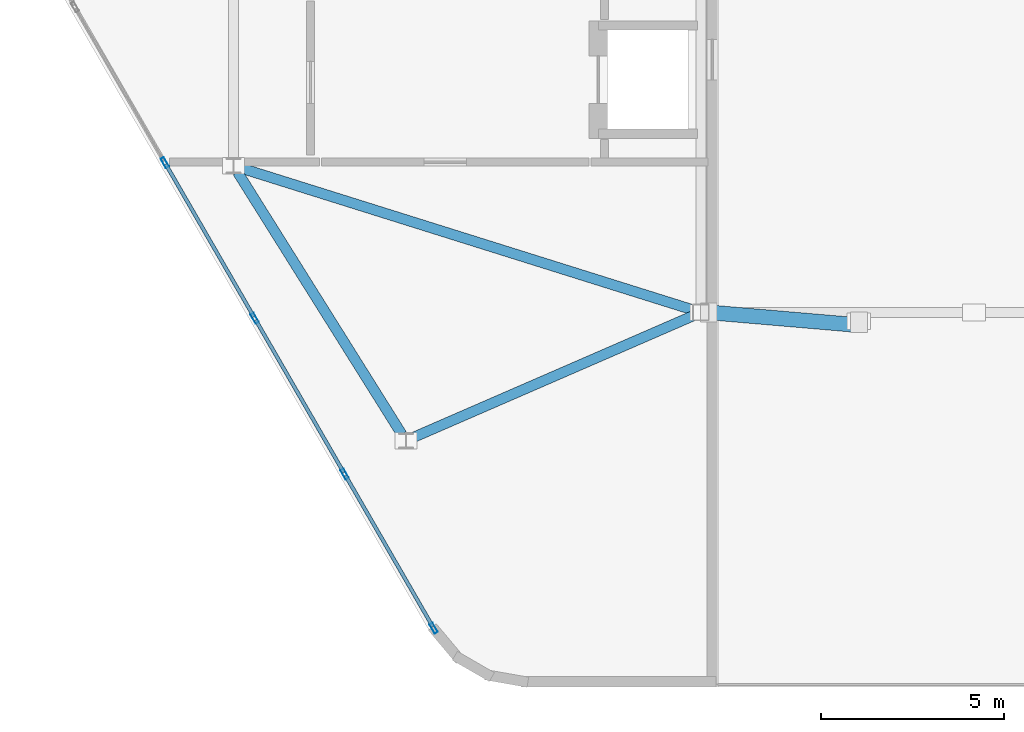
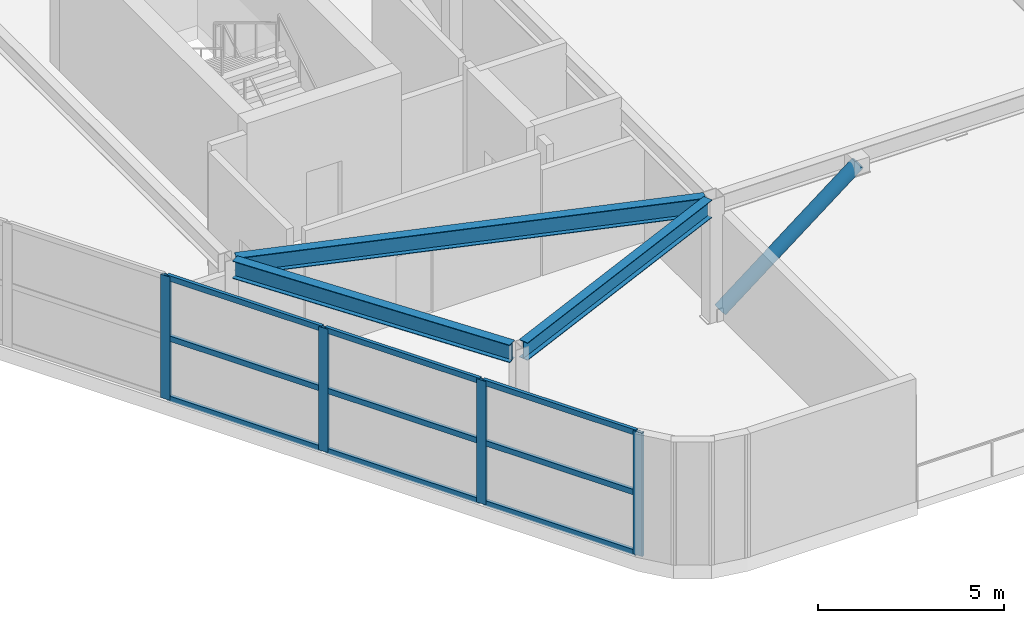
# One storey, part 3 of 17: 14 members, 3 beams, 1 element without a shape of its own.
"""IFC4 building model written with IfcOpenShell, lengths in metres."""

import ifcopenshell
import ifcopenshell.guid

model = None  # the IFC model being written
_history = None  # IfcOwnerHistory: only IFC2X3 demands one
_inside = {}  # id of a spatial element -> (the spatial element, [elements in it])
_under = {}  # id of a project, library or spatial element -> (it, [spatial elements below it])
_declared = {}  # id of a project -> (the project, [libraries it declares])
_typed = {}  # id of a type object -> (the type object, [elements of that type])
_made_of = {}  # id of a material, layer set ... -> (it, [elements and type objects made of it])


def new_model(schema):
    """Start an empty IFC model of exactly this schema.

    Asked for "IFC4X3", IfcOpenShell would pick the latest addendum, in which some entities
    have other attributes; the version numbers below select the first issue.
    IFC2X3 requires an IfcOwnerHistory on every rooted entity: one is made here for all.
    """
    global model, _history
    if schema == "IFC4X3":
        model = ifcopenshell.file(schema_version=(4, 3, 0, 0))
    else:
        model = ifcopenshell.file(schema=schema)
    _inside.clear()
    _under.clear()
    _declared.clear()
    _typed.clear()
    _made_of.clear()
    _history = None
    if model.schema == "IFC2X3":
        org = make("IfcOrganization", Name="unknown")
        user = make(
            "IfcPersonAndOrganization",
            ThePerson=make("IfcPerson", FamilyName="unknown"),
            TheOrganization=org,
        )
        app = make(
            "IfcApplication",
            ApplicationDeveloper=org,
            Version="unknown",
            ApplicationFullName="unknown",
            ApplicationIdentifier="unknown",
        )
        _history = make(
            "IfcOwnerHistory",
            OwningUser=user,
            OwningApplication=app,
            ChangeAction="ADDED",
            CreationDate=0,
        )
    return model


def make(cls, **values):
    """One entity of the class cls with the attributes given. An attribute that is None is left unset."""
    return model.create_entity(
        cls, **{name: value for name, value in values.items() if value is not None}
    )


def rooted(cls, **values):
    """An entity with a GlobalId (a new one), such as an element, a storey or a relation."""
    return make(cls, GlobalId=ifcopenshell.guid.new(), OwnerHistory=_history, **values)


def si_unit(unit_type, name, prefix=None):
    """IfcSIUnit, for example si_unit("LENGTHUNIT", "METRE", prefix="MILLI")."""
    return make("IfcSIUnit", UnitType=unit_type, Prefix=prefix, Name=name)


def assignment(units):
    """IfcUnitAssignment: the units of a project."""
    return None if units is None else make("IfcUnitAssignment", Units=units)


def point(xyz):
    """IfcCartesianPoint."""
    return None if xyz is None else make("IfcCartesianPoint", Coordinates=xyz)


def direction(xyz):
    """IfcDirection."""
    return None if xyz is None else make("IfcDirection", DirectionRatios=xyz)


def frame(location, z_axis=None, x_axis=None):
    """IfcAxis2Placement3D, a coordinate frame: its origin and axes. An axis left out is left unset."""
    return make(
        "IfcAxis2Placement3D",
        Location=point(location),
        Axis=direction(z_axis),
        RefDirection=direction(x_axis),
    )


def frame_2d(location, x_axis=None):
    """IfcAxis2Placement2D, a coordinate frame in the plane: its origin and x axis."""
    return make(
        "IfcAxis2Placement2D", Location=point(location), RefDirection=direction(x_axis)
    )


def origin():
    """The frame at (0, 0, 0) with its axes left unset."""
    return frame((0.0, 0.0, 0.0))


def origin_2d():
    """The frame at (0, 0) in the plane with its x axis left unset."""
    return frame_2d((0.0, 0.0))


def place(relative_to, where):
    """IfcLocalPlacement: puts the frame where relative to a parent placement (None: the world)."""
    return make(
        "IfcLocalPlacement", PlacementRelTo=relative_to, RelativePlacement=where
    )


def context(
    kind, dimensions, precision=None, world=None, true_north=None, identifier=None
):
    """IfcGeometricRepresentationContext, for example the 3D "Model" context."""
    return make(
        "IfcGeometricRepresentationContext",
        ContextIdentifier=identifier,
        ContextType=kind,
        CoordinateSpaceDimension=dimensions,
        Precision=precision,
        WorldCoordinateSystem=world,
        TrueNorth=true_north,
    )


def subcontext(parent, identifier, kind, view, scale=None):
    """IfcGeometricRepresentationSubContext, for example "Body" below "Model"."""
    return make(
        "IfcGeometricRepresentationSubContext",
        ContextIdentifier=identifier,
        ContextType=kind,
        ParentContext=parent,
        TargetScale=scale,
        TargetView=view,
    )


def project(units=None, contexts=None):
    """IfcProject with its units and contexts."""
    return rooted(
        "IfcProject",
        Name="project",
        RepresentationContexts=contexts,
        UnitsInContext=assignment(units),
    )


def spatial(cls, under=None, at=None, **own):
    """A site, building, storey or space (cls), placed at a placement, below another one or the project."""
    s = rooted(cls, ObjectPlacement=at, **own)
    if under is not None:
        _under.setdefault(under.id(), (under, []))[1].append(s)
    return s


def profile(cls, at=None, kind="AREA", **sizes):
    """A parametric profile (cls). Its sizes go by their IFC names, for example OverallWidth=200.0."""
    return make(cls, ProfileType=kind, Position=at, **sizes)


def hollow_rectangle(**sizes):
    """IfcRectangleHollowProfileDef."""
    return profile("IfcRectangleHollowProfileDef", **sizes)


def hollow_circle(**sizes):
    """IfcCircleHollowProfileDef."""
    return profile("IfcCircleHollowProfileDef", **sizes)


def i_section(**sizes):
    """IfcIShapeProfileDef."""
    return profile("IfcIShapeProfileDef", **sizes)


def extrude(swept, where, along, depth):
    """IfcExtrudedAreaSolid: the profile swept, set in the frame where, extruded along a direction by depth."""
    return make(
        "IfcExtrudedAreaSolid",
        SweptArea=swept,
        Position=where,
        ExtrudedDirection=direction(along),
        Depth=depth,
    )


def shape(context_of_items, identifier, shape_type, items):
    """IfcShapeRepresentation: the items that make up one representation, for example the "Body"."""
    return make(
        "IfcShapeRepresentation",
        ContextOfItems=context_of_items,
        RepresentationIdentifier=identifier,
        RepresentationType=shape_type,
        Items=items,
    )


def material(Name=None, Category=None):
    """IfcMaterial."""
    return make("IfcMaterial", Name=Name, Category=Category)


def material_profile(
    of_material, cross_section, Name=None, Category=None, Priority=None
):
    """IfcMaterialProfile: a cross section and its material."""
    return make(
        "IfcMaterialProfile",
        Name=Name,
        Material=of_material,
        Profile=cross_section,
        Priority=Priority,
        Category=Category,
    )


def profile_set(profiles, Name=None, composite=None):
    """IfcMaterialProfileSet."""
    return make(
        "IfcMaterialProfileSet",
        Name=Name,
        MaterialProfiles=profiles,
        CompositeProfile=composite,
    )


def made_of(thing, what):
    """Note that an element or type object is made of a material, layer set ...; save() writes the relation."""
    if what is not None:
        _made_of.setdefault(what.id(), (what, []))[1].append(thing)
    return thing


def type_object(cls, material=None, **own):
    """A type object (cls), such as IfcWallType, which elements share."""
    return made_of(rooted(cls, **own), material)


def element(
    cls,
    number,
    at=None,
    inside=None,
    cuts=None,
    type_object=None,
    material=None,
    context=None,
    identifier="Body",
    shape_type=None,
    held_by="IfcProductDefinitionShape",
    body=None,
    shapes=None,
    **own,
):
    """One element of the class cls, such as IfcWall. Its Tag is "e" and its number.

    at: its placement. inside: the storey or other place that contains it. cuts: it is an
    opening in that element (IfcRelVoidsElement). A single representation is given by context,
    identifier, shape_type and body (its items); several are given by shapes. held_by: the class
    of the entity that holds the representations. save() writes the other relations.
    """
    e = rooted(cls, Tag="e%d" % number, ObjectPlacement=at, **own)
    if body is not None:
        shapes = [shape(context, identifier, shape_type, body)]
    if shapes is not None:
        e.Representation = make(held_by, Representations=shapes)
    if inside is not None:
        _inside.setdefault(inside.id(), (inside, []))[1].append(e)
    if cuts is not None:
        rooted(
            "IfcRelVoidsElement", RelatingBuildingElement=cuts, RelatedOpeningElement=e
        )
    if type_object is not None:
        _typed.setdefault(type_object.id(), (type_object, []))[1].append(e)
    return made_of(e, material)


def aggregate(whole, parts):
    """IfcRelAggregates: a whole, such as a stair, and the parts it consists of."""
    return rooted("IfcRelAggregates", RelatingObject=whole, RelatedObjects=parts)


def save(model, path):
    """Write the relations noted so far, then the file.

    IfcRelAggregates (storeys below a building ...), IfcRelContainedInSpatialStructure (elements
    in a storey), IfcRelDefinesByType, IfcRelAssociatesMaterial and IfcRelDeclares: one each for
    every whole, place, type object, material and project.
    """
    for whole, parts in _under.values():
        aggregate(whole, parts)
    for where, things in _inside.values():
        rooted(
            "IfcRelContainedInSpatialStructure",
            RelatedElements=things,
            RelatingStructure=where,
        )
    for kind, things in _typed.values():
        rooted("IfcRelDefinesByType", RelatedObjects=things, RelatingType=kind)
    for what, things in _made_of.values():
        rooted("IfcRelAssociatesMaterial", RelatedObjects=things, RelatingMaterial=what)
    for by, libraries in _declared.values():
        rooted("IfcRelDeclares", RelatingContext=by, RelatedDefinitions=libraries)
    model.write(path)


model = new_model("IFC4")

# Units and contexts
model_context = context("Model", 3, precision=1e-05, world=origin(), true_north=direction((0.0, 1.0)))
body_context = subcontext(model_context, "Body", "Model", "MODEL_VIEW")
ifc_project = project(units=[si_unit("LENGTHUNIT", "METRE"), si_unit("AREAUNIT", "SQUARE_METRE"), si_unit("VOLUMEUNIT", "CUBIC_METRE"), si_unit("PLANEANGLEUNIT", "RADIAN"), si_unit("MASSUNIT", "GRAM", prefix="KILO")], contexts=[model_context])

# Site, building, storey
site_placement = place(None, origin())
site = spatial("IfcSite", under=ifc_project, at=site_placement, CompositionType="ELEMENT")
building_placement = place(site_placement, origin())
building = spatial("IfcBuilding", under=site, at=building_placement, Name="Zuhravey Tower", CompositionType="ELEMENT")
storey_placement = place(building_placement, frame((0.0, 0.0, 361.39990234375)))
storey = spatial("IfcBuildingStorey", under=building, at=storey_placement, Name="L92", CompositionType="ELEMENT", Elevation=361.39990234375)

# Curtain wall, members
ifc_material_1 = material(Name="Thermally broken anodised aluminium", Category="aluminium")
curtain_wall_type = type_object("IfcCurtainWallType", Name="Split-Top Crown Screened Curtain Wall CW6", PredefinedType="NOTDEFINED", material=ifc_material_1)
curtain_wall_placement = place(storey_placement, origin())
curtain_wall = element("IfcCurtainWall", 1, at=curtain_wall_placement, inside=storey, type_object=curtain_wall_type, Name="L92 CW6 CW6-L92-WEST-04", PredefinedType="NOTDEFINED")
ifc_material_2 = material(Name="Anodised aluminium", Category="aluminium")
ifc_material_profile_1 = material_profile(ifc_material_2, hollow_rectangle(XDim=0.10009765625, YDim=0.2900390625, WallThickness=0.006103515625, at=origin_2d()), Name="ALU-RHS-100x290x6")
ifc_profile_set_1 = profile_set([ifc_material_profile_1], Name="Anodised aluminium")
member_type_1 = type_object("IfcMemberType", Name="Heavy Tall-Storey Mullion 100x220", PredefinedType="MULLION", material=ifc_profile_set_1)
member_1_placement = place(storey_placement, frame((21.258544921875, 9.384765625, 0.0), z_axis=(0.0, 0.0, 1.0), x_axis=(-0.866027063754, -0.499997124838, 0.0)))
member_1 = element("IfcMember", 2, at=member_1_placement, type_object=member_type_1, Name="CW6 mullion 1", PredefinedType="MULLION", context=body_context, shape_type="SweptSolid", body=[
    extrude(hollow_rectangle(XDim=0.10009765625, YDim=0.2900390625, WallThickness=0.006103515625, at=origin_2d()), origin(), (0.0, 0.0, 1.0), 4.050048828125),
])
member_2_placement = place(storey_placement, frame((18.83056640625, 13.590087890625, 0.0), z_axis=(0.0, 0.0, 1.0), x_axis=(-0.866027063754, -0.499997124838, 0.0)))
member_2 = element("IfcMember", 3, at=member_2_placement, type_object=member_type_1, Name="CW6 mullion 2", PredefinedType="MULLION", context=body_context, shape_type="SweptSolid", body=[
    extrude(hollow_rectangle(XDim=0.10009765625, YDim=0.2900390625, WallThickness=0.006103515625, at=origin_2d()), origin(), (0.0, 0.0, 1.0), 4.050048828125),
])
member_3_placement = place(storey_placement, frame((16.377685546875, 17.838623046875, 0.0), z_axis=(0.0, 0.0, 1.0), x_axis=(-0.866027063754, -0.499997124838, 0.0)))
member_3 = element("IfcMember", 4, at=member_3_placement, type_object=member_type_1, Name="CW6 mullion 3", PredefinedType="MULLION", context=body_context, shape_type="SweptSolid", body=[
    extrude(hollow_rectangle(XDim=0.10009765625, YDim=0.2900390625, WallThickness=0.006103515625, at=origin_2d()), origin(), (0.0, 0.0, 1.0), 4.050048828125),
])
member_4_placement = place(storey_placement, frame((13.9248046875, 22.087158203125, 0.0), z_axis=(0.0, 0.0, 1.0), x_axis=(-0.866027063754, -0.499997124838, 0.0)))
member_4 = element("IfcMember", 5, at=member_4_placement, type_object=member_type_1, Name="CW6 mullion 4", PredefinedType="MULLION", context=body_context, shape_type="SweptSolid", body=[
    extrude(hollow_rectangle(XDim=0.10009765625, YDim=0.2900390625, WallThickness=0.006103515625, at=origin_2d()), origin(), (0.0, 0.0, 1.0), 4.050048828125),
])

# Beams
ifc_material_3 = material(Name="Steel SM355", Category="steel")
ifc_material_profile_2 = material_profile(ifc_material_3, i_section(OverallWidth=0.280029296875, OverallDepth=0.580078125, WebThickness=0.011962890625, FlangeThickness=0.01904296875, at=origin_2d()), Name="H-580x280x12x19")
ifc_profile_set_2 = profile_set([ifc_material_profile_2], Name="Steel SM355")
beam_type = type_object("IfcBeamType", Name="Perimeter Ring Beam H580x280", PredefinedType="BEAM", material=ifc_profile_set_2)
beam_1_placement = place(storey_placement, frame((15.908447265625, 21.8271484375, 3.760009765625), z_axis=(0.530996685116, -0.847373896457, 0.0), x_axis=(0.847373896457, 0.530996685116, 0.0)))
element("IfcBeam", 6, at=beam_1_placement, inside=storey, type_object=beam_type, Name="L92 PB4 BM-L92-WCR-0-2", PredefinedType="BEAM", context=body_context, shape_type="SweptSolid", body=[
    extrude(i_section(OverallWidth=0.280029296875, OverallDepth=0.580078125, WebThickness=0.011962890625, FlangeThickness=0.01904296875, at=origin_2d()), origin(), (0.0, 0.0, 1.0), 8.44287109375),
])
beam_2_placement = place(storey_placement, frame((20.68701171875, 14.581298828125, 3.760009765625), z_axis=(0.91707145158, 0.398722902147, 0.0), x_axis=(-0.398722902147, 0.91707145158, 0.0)))
element("IfcBeam", 7, at=beam_2_placement, inside=storey, type_object=beam_type, Name="L92 PB4 BM-L92-WCR-2-4", PredefinedType="BEAM", context=body_context, shape_type="SweptSolid", body=[
    extrude(i_section(OverallWidth=0.280029296875, OverallDepth=0.580078125, WebThickness=0.011962890625, FlangeThickness=0.01904296875, at=origin_2d()), origin(), (0.0, 0.0, 1.0), 8.34521484375),
])
beam_3_placement = place(storey_placement, frame((15.99462890625, 21.93896484375, 3.760009765625), z_axis=(0.954147439285, -0.299337040984, 0.0), x_axis=(0.299337040984, 0.954147439285, 0.0)))
element("IfcBeam", 8, at=beam_3_placement, inside=storey, type_object=beam_type, Name="L92 PB4 BM-L92-WCR-0-4", PredefinedType="BEAM", context=body_context, shape_type="SweptSolid", body=[
    extrude(i_section(OverallWidth=0.280029296875, OverallDepth=0.580078125, WebThickness=0.011962890625, FlangeThickness=0.01904296875, at=origin_2d()), origin(), (0.0, 0.0, 1.0), 12.9296875),
])

# Member
ifc_material_profile_3 = material_profile(ifc_material_2, hollow_rectangle(XDim=0.10009765625, YDim=0.179931640625, WallThickness=0.006103515625, at=origin_2d()), Name="ALU-RHS-100x180x6")
ifc_profile_set_3 = profile_set([ifc_material_profile_3], Name="Anodised aluminium")
member_type_2 = type_object("IfcMemberType", Name="Tall-Storey Transom 100x180", PredefinedType="USERDEFINED", material=ifc_profile_set_3)
member_5_placement = place(storey_placement, frame((21.2333984375, 9.42822265625, 0.050048828125), z_axis=(-0.499965384433, 0.866045388169, 0.0), x_axis=(-0.866045388169, -0.499965384433, 0.0)))
member_5 = element("IfcMember", 9, at=member_5_placement, type_object=member_type_2, Name="CW6 transom 1.1", ObjectType="TRANSOM", PredefinedType="USERDEFINED", context=body_context, shape_type="SweptSolid", body=[
    extrude(hollow_rectangle(XDim=0.10009765625, YDim=0.179931640625, WallThickness=0.006103515625, at=origin_2d()), origin(), (0.0, 0.0, 1.0), 4.755615234375),
])

member_6_placement = place(storey_placement, frame((21.2333984375, 9.42822265625, 2.025146484375), z_axis=(-0.499965384433, 0.866045388169, 0.0), x_axis=(-0.866045388169, -0.499965384433, 0.0)))
member_6 = element("IfcMember", 10, at=member_6_placement, type_object=member_type_2, Name="CW6 transom 1.2", ObjectType="TRANSOM", PredefinedType="USERDEFINED", context=body_context, shape_type="SweptSolid", body=[
    extrude(hollow_rectangle(XDim=0.10009765625, YDim=0.179931640625, WallThickness=0.006103515625, at=origin_2d()), origin(), (0.0, 0.0, 1.0), 4.755615234375),
])

member_7_placement = place(storey_placement, frame((21.2333984375, 9.42822265625, 4.0), z_axis=(-0.499965384433, 0.866045388169, 0.0), x_axis=(-0.866045388169, -0.499965384433, 0.0)))
member_7 = element("IfcMember", 11, at=member_7_placement, type_object=member_type_2, Name="CW6 transom 1.3", ObjectType="TRANSOM", PredefinedType="USERDEFINED", context=body_context, shape_type="SweptSolid", body=[
    extrude(hollow_rectangle(XDim=0.10009765625, YDim=0.179931640625, WallThickness=0.006103515625, at=origin_2d()), origin(), (0.0, 0.0, 1.0), 4.755615234375),
])

member_8_placement = place(storey_placement, frame((18.8056640625, 13.63330078125, 0.050048828125), z_axis=(-0.500012672123, 0.866018087407, 0.0), x_axis=(-0.866018087407, -0.500012672123, 0.0)))
member_8 = element("IfcMember", 12, at=member_8_placement, type_object=member_type_2, Name="CW6 transom 2.1", ObjectType="TRANSOM", PredefinedType="USERDEFINED", context=body_context, shape_type="SweptSolid", body=[
    extrude(hollow_rectangle(XDim=0.10009765625, YDim=0.179931640625, WallThickness=0.006103515625, at=origin_2d()), origin(), (0.0, 0.0, 1.0), 4.80615234375),
])

member_9_placement = place(storey_placement, frame((18.8056640625, 13.63330078125, 2.025146484375), z_axis=(-0.500012672123, 0.866018087407, 0.0), x_axis=(-0.866018087407, -0.500012672123, 0.0)))
member_9 = element("IfcMember", 13, at=member_9_placement, type_object=member_type_2, Name="CW6 transom 2.2", ObjectType="TRANSOM", PredefinedType="USERDEFINED", context=body_context, shape_type="SweptSolid", body=[
    extrude(hollow_rectangle(XDim=0.10009765625, YDim=0.179931640625, WallThickness=0.006103515625, at=origin_2d()), origin(), (0.0, 0.0, 1.0), 4.80615234375),
])

member_10_placement = place(storey_placement, frame((18.8056640625, 13.63330078125, 4.0), z_axis=(-0.500012672123, 0.866018087407, 0.0), x_axis=(-0.866018087407, -0.500012672123, 0.0)))
member_10 = element("IfcMember", 14, at=member_10_placement, type_object=member_type_2, Name="CW6 transom 2.3", ObjectType="TRANSOM", PredefinedType="USERDEFINED", context=body_context, shape_type="SweptSolid", body=[
    extrude(hollow_rectangle(XDim=0.10009765625, YDim=0.179931640625, WallThickness=0.006103515625, at=origin_2d()), origin(), (0.0, 0.0, 1.0), 4.80615234375),
])

member_11_placement = place(storey_placement, frame((16.352783203125, 17.882080078125, 0.050048828125), z_axis=(-0.50003466983, 0.866005386223, 0.0), x_axis=(-0.866005386223, -0.50003466983, 0.0)))
member_11 = element("IfcMember", 15, at=member_11_placement, type_object=member_type_2, Name="CW6 transom 3.1", ObjectType="TRANSOM", PredefinedType="USERDEFINED", context=body_context, shape_type="SweptSolid", body=[
    extrude(hollow_rectangle(XDim=0.10009765625, YDim=0.179931640625, WallThickness=0.006103515625, at=origin_2d()), origin(), (0.0, 0.0, 1.0), 4.805908203125),
])

member_12_placement = place(storey_placement, frame((16.352783203125, 17.882080078125, 2.025146484375), z_axis=(-0.50003466983, 0.866005386223, 0.0), x_axis=(-0.866005386223, -0.50003466983, 0.0)))
member_12 = element("IfcMember", 16, at=member_12_placement, type_object=member_type_2, Name="CW6 transom 3.2", ObjectType="TRANSOM", PredefinedType="USERDEFINED", context=body_context, shape_type="SweptSolid", body=[
    extrude(hollow_rectangle(XDim=0.10009765625, YDim=0.179931640625, WallThickness=0.006103515625, at=origin_2d()), origin(), (0.0, 0.0, 1.0), 4.805908203125),
])

member_13_placement = place(storey_placement, frame((16.352783203125, 17.882080078125, 4.0), z_axis=(-0.50003466983, 0.866005386223, 0.0), x_axis=(-0.866005386223, -0.50003466983, 0.0)))
member_13 = element("IfcMember", 17, at=member_13_placement, type_object=member_type_2, Name="CW6 transom 3.3", ObjectType="TRANSOM", PredefinedType="USERDEFINED", context=body_context, shape_type="SweptSolid", body=[
    extrude(hollow_rectangle(XDim=0.10009765625, YDim=0.179931640625, WallThickness=0.006103515625, at=origin_2d()), origin(), (0.0, 0.0, 1.0), 4.805908203125),
])

aggregate(curtain_wall, [member_1, member_2, member_3, member_4, member_5, member_6, member_7, member_8, member_9, member_10, member_11, member_12, member_13])

ifc_material_profile_4 = material_profile(ifc_material_3, hollow_circle(Radius=0.203125, WallThickness=0.02001953125, at=origin_2d()), Name="CHS-406.4x20")
ifc_profile_set_4 = profile_set([ifc_material_profile_4], Name="Steel SM355")
member_type_3 = type_object("IfcMemberType", Name="Wind-Portal Arch Brace CHS406x20", PredefinedType="BRACE", material=ifc_profile_set_4)
member_14_placement = place(storey_placement, frame((28.780517578125, 17.999755859375, 0.181396484375), z_axis=(0.747122272379, -0.063852005514, 0.661612599265), x_axis=(0.085153511528, 0.996367843457, 0.0)))
element("IfcMember", 18, at=member_14_placement, inside=storey, type_object=member_type_3, Name="L92 Wind-Portal Arch Brace WPB1-1W", PredefinedType="BRACE", context=body_context, shape_type="SweptSolid", body=[
    extrude(hollow_circle(Radius=0.203125, WallThickness=0.02001953125, at=origin_2d()), origin(), (0.0, 0.0, 1.0), 5.44482421875),
])

save(model, "model.ifc")
